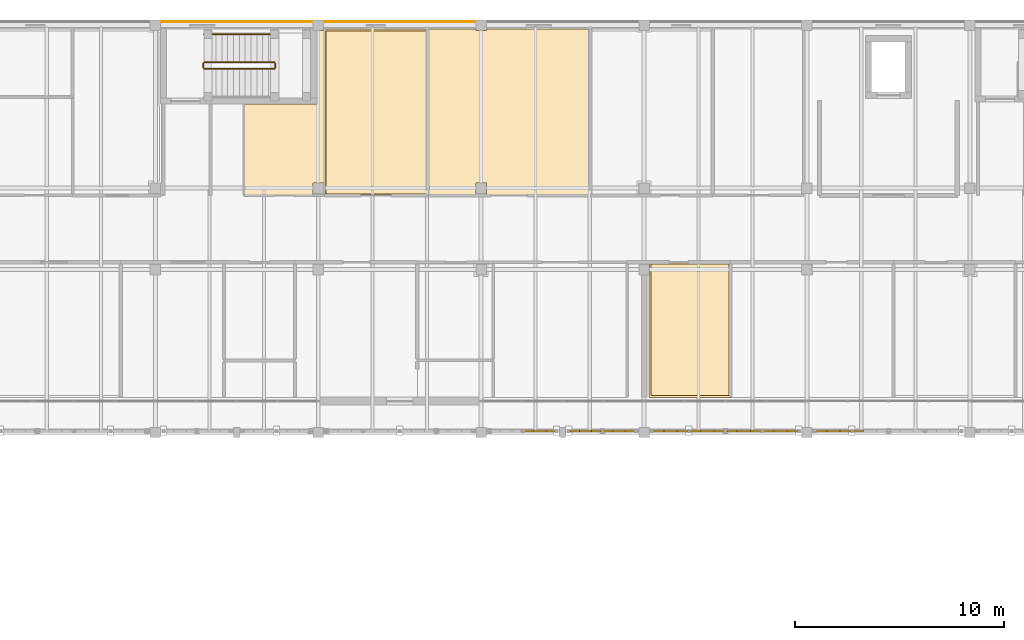
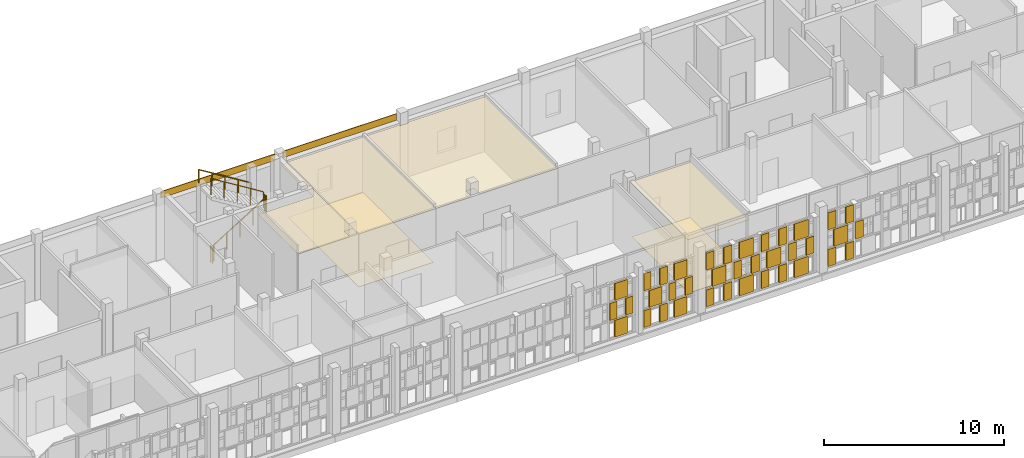
# One storey, part 87 of 89: 45 coverings, 5 railings.
"""IFC4 building model written with IfcOpenShell, lengths in metres."""

from ifc_helpers import new_model, si_unit, direction, frame, origin, origin_2d, place, context, subcontext, project, spatial, polyline, rectangle, circle, outline, extrude, material, layer, layer_set, type_object, element, save


model = new_model("IFC4")

# Units and contexts
model_context = context("Model", 3, precision=1e-05, world=origin(), true_north=direction((0.0, 1.0)))
body_context = subcontext(model_context, "Body", "Model", "MODEL_VIEW")
ifc_project = project(units=[si_unit("LENGTHUNIT", "METRE"), si_unit("AREAUNIT", "SQUARE_METRE"), si_unit("VOLUMEUNIT", "CUBIC_METRE"), si_unit("PLANEANGLEUNIT", "RADIAN"), si_unit("MASSUNIT", "GRAM", prefix="KILO")], contexts=[model_context])

# Site, building, storey
site_placement = place(None, origin())
site = spatial("IfcSite", under=ifc_project, at=site_placement, CompositionType="ELEMENT")
building_placement = place(site_placement, origin())
building = spatial("IfcBuilding", under=site, at=building_placement, Name="Celorna Specialist Clinic", CompositionType="ELEMENT")
storey_placement = place(building_placement, frame((0.0, 0.0, 14.10009765625)))
storey = spatial("IfcBuildingStorey", under=building, at=storey_placement, Name="L03", CompositionType="ELEMENT", Elevation=14.10009765625)

# Coverings
ifc_material_1 = material(Name="Hygienic acoustic mineral-fibre ceiling")
ifc_layer_1 = layer(ifc_material_1, 0.030029296875, Name="Hygienic acoustic mineral-fibre ceiling")
ifc_layer_set_1 = layer_set([ifc_layer_1], Name="Hygienic acoustic mineral-fibre ceiling")
covering_type_1 = type_object("IfcCoveringType", Name="CE-01", PredefinedType="CEILING", material=ifc_layer_set_1)
covering_1_placement = place(storey_placement, frame((0.0, 0.0, 3.68994140625)))
element("IfcCovering", 1, at=covering_1_placement, inside=storey, type_object=covering_type_1, Name="Acoustic ceiling L03-022", PredefinedType="CEILING", context=body_context, shape_type="SweptSolid", body=[
    extrude(outline(polyline([(101.64501953125, 104.6650390625), (105.554931640625, 104.6650390625), (105.554931640625, 98.175048828125), (101.635009765625, 98.175048828125), (101.635009765625, 104.044921875), (101.655029296875, 104.044921875), (101.655029296875, 104.554931640625), (101.64501953125, 104.554931640625), (101.64501953125, 104.6650390625)])), origin(), (0.0, 0.0, 1.0), 0.030029296875),
])
covering_2_placement = place(storey_placement, frame((0.0, 0.0, 3.669921875)))
element("IfcCovering", 2, at=covering_2_placement, inside=storey, type_object=covering_type_1, Name="Acoustic ceiling L03-031", PredefinedType="CEILING", context=body_context, shape_type="SweptSolid", body=[
    extrude(outline(polyline([(82.22509765625, 107.8349609375), (82.22509765625, 112.235107421875), (85.72509765625, 112.235107421875), (85.72509765625, 115.7451171875), (86.054931640625, 115.7451171875), (86.054931640625, 115.7548828125), (86.10498046875, 115.7548828125), (86.10498046875, 108.445068359375), (86.054931640625, 108.445068359375), (86.054931640625, 108.455078125), (85.544921875, 108.455078125), (85.544921875, 107.945068359375), (85.554931640625, 107.945068359375), (85.554931640625, 107.8349609375), (82.22509765625, 107.8349609375)])), origin(), (0.0, 0.0, 1.0), 0.030029296875),
])
covering_3_placement = place(storey_placement, frame((0.0, 0.0, 3.669921875)))
element("IfcCovering", 3, at=covering_3_placement, inside=storey, type_object=covering_type_1, Name="Acoustic ceiling L03-032", PredefinedType="CEILING", context=body_context, shape_type="SweptSolid", body=[
    extrude(outline(polyline([(91.054931640625, 115.824951171875), (91.054931640625, 107.8349609375), (86.074951171875, 107.8349609375), (86.074951171875, 115.824951171875), (91.054931640625, 115.824951171875)])), origin(), (0.0, 0.0, 1.0), 0.030029296875),
])
covering_4_placement = place(storey_placement, frame((0.0, 0.0, 3.669921875)))
element("IfcCovering", 4, at=covering_4_placement, inside=storey, type_object=covering_type_1, Name="Acoustic ceiling L03-033", PredefinedType="CEILING", context=body_context, shape_type="SweptSolid", body=[
    extrude(outline(polyline([(93.344970703125, 115.824951171875), (93.344970703125, 115.7451171875), (93.85498046875, 115.7451171875), (93.85498046875, 115.824951171875), (98.85498046875, 115.824951171875), (98.85498046875, 107.8349609375), (93.844970703125, 107.8349609375), (93.844970703125, 107.945068359375), (93.85498046875, 107.945068359375), (93.85498046875, 108.455078125), (93.344970703125, 108.455078125), (93.344970703125, 107.945068359375), (93.35498046875, 107.945068359375), (93.35498046875, 107.8349609375), (91.02490234375, 107.8349609375), (91.02490234375, 115.824951171875), (93.344970703125, 115.824951171875)])), origin(), (0.0, 0.0, 1.0), 0.030029296875),
])
ifc_material_2 = material(Name="Pero Pinheiro Lioz limestone rainscreen cladding", Category="masonry")
ifc_layer_2 = layer(ifc_material_2, 0.044921875, Name="Pero Pinheiro Lioz limestone rainscreen cladding")
ifc_layer_set_2 = layer_set([ifc_layer_2], Name="Pero Pinheiro Lioz limestone rainscreen cladding")
covering_type_2 = type_object("IfcCoveringType", Name="CL-01", PredefinedType="CLADDING", material=ifc_layer_set_2)
for number, where, z_axis, x_axis, name in (
    (5, (81.89990234375, 116.16748046875, 3.81982421875), (0.0, 0.0, 1.0), (1.0, 0.0, 0.0), "Lioz spandrel cladding #261"),
    (6, (89.699951171875, 116.16748046875, 3.81982421875), (0.0, 0.0, 1.0), (1.0, 0.0, 0.0), "Lioz spandrel cladding #262"),
):
    element("IfcCovering", number, at=place(storey_placement, frame(where, z_axis=z_axis, x_axis=x_axis)), inside=storey, type_object=covering_type_2, Name=name, PredefinedType="CLADDING", context=body_context, shape_type="SweptSolid", body=[
        extrude(rectangle(XDim=7.300048828125, YDim=0.044921875, at=origin_2d()), origin(), (0.0, 0.0, 1.0), 0.43994140625),
    ])
ifc_material_3 = material(Name="Perforated terracotta brick weave cladding", Category="masonry")
ifc_layer_3 = layer(ifc_material_3, 0.114990234375, Name="Perforated terracotta brick weave cladding")
ifc_layer_set_3 = layer_set([ifc_layer_3], Name="Perforated terracotta brick weave cladding")
covering_type_3 = type_object("IfcCoveringType", Name="CL-02", PredefinedType="CLADDING", material=ifc_layer_set_3)
covering_5_placement = place(storey_placement, frame((96.405029296875, 96.570068359375, 0.10009765625), z_axis=(0.0, 0.0, 1.0), x_axis=(1.0, 0.0, 0.0)))
element("IfcCovering", 7, at=covering_5_placement, inside=storey, type_object=covering_type_3, Name="Woven perforated terracotta brick course #1171", PredefinedType="CLADDING", context=body_context, shape_type="SweptSolid", body=[
    extrude(rectangle(XDim=0.8046875, YDim=0.114990234375, at=origin_2d()), origin(), (0.0, 0.0, 1.0), 1.146728515625),
])
for number, where, z_axis, x_axis, name in (
    (8, (95.88720703125, 96.570068359375, 1.3466796875), (0.0, 0.0, 1.0), (1.0, 0.0, 0.0), "Woven perforated terracotta brick course #1172"),
    (9, (96.9228515625, 96.570068359375, 1.3466796875), (0.0, 0.0, 1.0), (1.0, 0.0, 0.0), "Woven perforated terracotta brick course #1173"),
):
    element("IfcCovering", number, at=place(storey_placement, frame(where, z_axis=z_axis, x_axis=x_axis)), inside=storey, type_object=covering_type_3, Name=name, PredefinedType="CLADDING", context=body_context, shape_type="SweptSolid", body=[
        extrude(rectangle(XDim=0.454345703125, YDim=0.114990234375, at=origin_2d()), origin(), (0.0, 0.0, 1.0), 1.146484375),
    ])
covering_6_placement = place(storey_placement, frame((96.405029296875, 96.570068359375, 2.59326171875), z_axis=(0.0, 0.0, 1.0), x_axis=(1.0, 0.0, 0.0)))
element("IfcCovering", 10, at=covering_6_placement, inside=storey, type_object=covering_type_3, Name="Woven perforated terracotta brick course #1174", PredefinedType="CLADDING", context=body_context, shape_type="SweptSolid", body=[
    extrude(rectangle(XDim=0.8046875, YDim=0.114990234375, at=origin_2d()), origin(), (0.0, 0.0, 1.0), 1.146728515625),
])
for number, where, z_axis, x_axis, name in (
    (11, (98.0771484375, 96.570068359375, 0.10009765625), (0.0, 0.0, 1.0), (1.0, 0.0, 0.0), "Woven perforated terracotta brick course #1175"),
    (12, (99.11279296875, 96.570068359375, 0.10009765625), (0.0, 0.0, 1.0), (1.0, 0.0, 0.0), "Woven perforated terracotta brick course #1176"),
):
    element("IfcCovering", number, at=place(storey_placement, frame(where, z_axis=z_axis, x_axis=x_axis)), inside=storey, type_object=covering_type_3, Name=name, PredefinedType="CLADDING", context=body_context, shape_type="SweptSolid", body=[
        extrude(rectangle(XDim=0.454345703125, YDim=0.114990234375, at=origin_2d()), origin(), (0.0, 0.0, 1.0), 1.146728515625),
    ])
covering_7_placement = place(storey_placement, frame((98.594970703125, 96.570068359375, 1.3466796875), z_axis=(0.0, 0.0, 1.0), x_axis=(1.0, 0.0, 0.0)))
element("IfcCovering", 13, at=covering_7_placement, inside=storey, type_object=covering_type_3, Name="Woven perforated terracotta brick course #1177", PredefinedType="CLADDING", context=body_context, shape_type="SweptSolid", body=[
    extrude(rectangle(XDim=0.8046875, YDim=0.114990234375, at=origin_2d()), origin(), (0.0, 0.0, 1.0), 1.146484375),
])
for number, where, z_axis, x_axis, name in (
    (14, (98.0771484375, 96.570068359375, 2.59326171875), (0.0, 0.0, 1.0), (1.0, 0.0, 0.0), "Woven perforated terracotta brick course #1178"),
    (15, (99.11279296875, 96.570068359375, 2.59326171875), (0.0, 0.0, 1.0), (1.0, 0.0, 0.0), "Woven perforated terracotta brick course #1179"),
):
    element("IfcCovering", number, at=place(storey_placement, frame(where, z_axis=z_axis, x_axis=x_axis)), inside=storey, type_object=covering_type_3, Name=name, PredefinedType="CLADDING", context=body_context, shape_type="SweptSolid", body=[
        extrude(rectangle(XDim=0.454345703125, YDim=0.114990234375, at=origin_2d()), origin(), (0.0, 0.0, 1.0), 1.146728515625),
    ])
covering_8_placement = place(storey_placement, frame((100.205078125, 96.570068359375, 0.10009765625), z_axis=(0.0, 0.0, 1.0), x_axis=(1.0, 0.0, 0.0)))
element("IfcCovering", 16, at=covering_8_placement, inside=storey, type_object=covering_type_3, Name="Woven perforated terracotta brick course #1180", PredefinedType="CLADDING", context=body_context, shape_type="SweptSolid", body=[
    extrude(rectangle(XDim=0.8046875, YDim=0.114990234375, at=origin_2d()), origin(), (0.0, 0.0, 1.0), 1.146728515625),
])
for number, where, z_axis, x_axis, name in (
    (17, (99.687255859375, 96.570068359375, 1.3466796875), (0.0, 0.0, 1.0), (1.0, 0.0, 0.0), "Woven perforated terracotta brick course #1181"),
    (18, (100.722900390625, 96.570068359375, 1.3466796875), (0.0, 0.0, 1.0), (1.0, 0.0, 0.0), "Woven perforated terracotta brick course #1182"),
):
    element("IfcCovering", number, at=place(storey_placement, frame(where, z_axis=z_axis, x_axis=x_axis)), inside=storey, type_object=covering_type_3, Name=name, PredefinedType="CLADDING", context=body_context, shape_type="SweptSolid", body=[
        extrude(rectangle(XDim=0.454345703125, YDim=0.114990234375, at=origin_2d()), origin(), (0.0, 0.0, 1.0), 1.146484375),
    ])
covering_9_placement = place(storey_placement, frame((100.205078125, 96.570068359375, 2.59326171875), z_axis=(0.0, 0.0, 1.0), x_axis=(1.0, 0.0, 0.0)))
element("IfcCovering", 19, at=covering_9_placement, inside=storey, type_object=covering_type_3, Name="Woven perforated terracotta brick course #1183", PredefinedType="CLADDING", context=body_context, shape_type="SweptSolid", body=[
    extrude(rectangle(XDim=0.8046875, YDim=0.114990234375, at=origin_2d()), origin(), (0.0, 0.0, 1.0), 1.146728515625),
])
for number, where, z_axis, x_axis, name in (
    (20, (102.099365234375, 96.570068359375, 0.10009765625), (0.0, 0.0, 1.0), (1.0, 0.0, 0.0), "Woven perforated terracotta brick course #1184"),
    (21, (103.235595703125, 96.570068359375, 0.10009765625), (0.0, 0.0, 1.0), (1.0, 0.0, 0.0), "Woven perforated terracotta brick course #1185"),
):
    element("IfcCovering", number, at=place(storey_placement, frame(where, z_axis=z_axis, x_axis=x_axis)), inside=storey, type_object=covering_type_3, Name=name, PredefinedType="CLADDING", context=body_context, shape_type="SweptSolid", body=[
        extrude(rectangle(XDim=0.498779296875, YDim=0.114990234375, at=origin_2d()), origin(), (0.0, 0.0, 1.0), 1.146728515625),
    ])
covering_10_placement = place(storey_placement, frame((102.66748046875, 96.570068359375, 1.3466796875), z_axis=(0.0, 0.0, 1.0), x_axis=(1.0, 0.0, 0.0)))
element("IfcCovering", 22, at=covering_10_placement, inside=storey, type_object=covering_type_3, Name="Woven perforated terracotta brick course #1186", PredefinedType="CLADDING", context=body_context, shape_type="SweptSolid", body=[
    extrude(rectangle(XDim=0.8828125, YDim=0.114990234375, at=origin_2d()), origin(), (0.0, 0.0, 1.0), 1.146484375),
])
for number, where, z_axis, x_axis, name in (
    (23, (102.099365234375, 96.570068359375, 2.59326171875), (0.0, 0.0, 1.0), (1.0, 0.0, 0.0), "Woven perforated terracotta brick course #1187"),
    (24, (103.235595703125, 96.570068359375, 2.59326171875), (0.0, 0.0, 1.0), (1.0, 0.0, 0.0), "Woven perforated terracotta brick course #1188"),
):
    element("IfcCovering", number, at=place(storey_placement, frame(where, z_axis=z_axis, x_axis=x_axis)), inside=storey, type_object=covering_type_3, Name=name, PredefinedType="CLADDING", context=body_context, shape_type="SweptSolid", body=[
        extrude(rectangle(XDim=0.498779296875, YDim=0.114990234375, at=origin_2d()), origin(), (0.0, 0.0, 1.0), 1.146728515625),
    ])
covering_11_placement = place(storey_placement, frame((104.422607421875, 96.570068359375, 0.10009765625), z_axis=(0.0, 0.0, 1.0), x_axis=(1.0, 0.0, 0.0)))
element("IfcCovering", 25, at=covering_11_placement, inside=storey, type_object=covering_type_3, Name="Woven perforated terracotta brick course #1189", PredefinedType="CLADDING", context=body_context, shape_type="SweptSolid", body=[
    extrude(rectangle(XDim=0.8828125, YDim=0.114990234375, at=origin_2d()), origin(), (0.0, 0.0, 1.0), 1.146728515625),
])
for number, where, z_axis, x_axis, name in (
    (26, (103.8544921875, 96.570068359375, 1.3466796875), (0.0, 0.0, 1.0), (1.0, 0.0, 0.0), "Woven perforated terracotta brick course #1190"),
    (27, (104.99072265625, 96.570068359375, 1.3466796875), (0.0, 0.0, 1.0), (1.0, 0.0, 0.0), "Woven perforated terracotta brick course #1191"),
):
    element("IfcCovering", number, at=place(storey_placement, frame(where, z_axis=z_axis, x_axis=x_axis)), inside=storey, type_object=covering_type_3, Name=name, PredefinedType="CLADDING", context=body_context, shape_type="SweptSolid", body=[
        extrude(rectangle(XDim=0.498779296875, YDim=0.114990234375, at=origin_2d()), origin(), (0.0, 0.0, 1.0), 1.146484375),
    ])
covering_12_placement = place(storey_placement, frame((104.422607421875, 96.570068359375, 2.59326171875), z_axis=(0.0, 0.0, 1.0), x_axis=(1.0, 0.0, 0.0)))
element("IfcCovering", 28, at=covering_12_placement, inside=storey, type_object=covering_type_3, Name="Woven perforated terracotta brick course #1192", PredefinedType="CLADDING", context=body_context, shape_type="SweptSolid", body=[
    extrude(rectangle(XDim=0.8828125, YDim=0.114990234375, at=origin_2d()), origin(), (0.0, 0.0, 1.0), 1.146728515625),
])
for number, where, z_axis, x_axis, name in (
    (29, (105.609375, 96.570068359375, 0.10009765625), (0.0, 0.0, 1.0), (1.0, 0.0, 0.0), "Woven perforated terracotta brick course #1193"),
    (30, (106.74560546875, 96.570068359375, 0.10009765625), (0.0, 0.0, 1.0), (1.0, 0.0, 0.0), "Woven perforated terracotta brick course #1194"),
):
    element("IfcCovering", number, at=place(storey_placement, frame(where, z_axis=z_axis, x_axis=x_axis)), inside=storey, type_object=covering_type_3, Name=name, PredefinedType="CLADDING", context=body_context, shape_type="SweptSolid", body=[
        extrude(rectangle(XDim=0.498779296875, YDim=0.114990234375, at=origin_2d()), origin(), (0.0, 0.0, 1.0), 1.146728515625),
    ])
covering_13_placement = place(storey_placement, frame((106.177490234375, 96.570068359375, 1.3466796875), z_axis=(0.0, 0.0, 1.0), x_axis=(1.0, 0.0, 0.0)))
element("IfcCovering", 31, at=covering_13_placement, inside=storey, type_object=covering_type_3, Name="Woven perforated terracotta brick course #1195", PredefinedType="CLADDING", context=body_context, shape_type="SweptSolid", body=[
    extrude(rectangle(XDim=0.8828125, YDim=0.114990234375, at=origin_2d()), origin(), (0.0, 0.0, 1.0), 1.146484375),
])
for number, where, z_axis, x_axis, name in (
    (32, (105.609375, 96.570068359375, 2.59326171875), (0.0, 0.0, 1.0), (1.0, 0.0, 0.0), "Woven perforated terracotta brick course #1196"),
    (33, (106.74560546875, 96.570068359375, 2.59326171875), (0.0, 0.0, 1.0), (1.0, 0.0, 0.0), "Woven perforated terracotta brick course #1197"),
):
    element("IfcCovering", number, at=place(storey_placement, frame(where, z_axis=z_axis, x_axis=x_axis)), inside=storey, type_object=covering_type_3, Name=name, PredefinedType="CLADDING", context=body_context, shape_type="SweptSolid", body=[
        extrude(rectangle(XDim=0.498779296875, YDim=0.114990234375, at=origin_2d()), origin(), (0.0, 0.0, 1.0), 1.146728515625),
    ])
covering_14_placement = place(storey_placement, frame((107.9326171875, 96.570068359375, 0.10009765625), z_axis=(0.0, 0.0, 1.0), x_axis=(1.0, 0.0, 0.0)))
element("IfcCovering", 34, at=covering_14_placement, inside=storey, type_object=covering_type_3, Name="Woven perforated terracotta brick course #1198", PredefinedType="CLADDING", context=body_context, shape_type="SweptSolid", body=[
    extrude(rectangle(XDim=0.8828125, YDim=0.114990234375, at=origin_2d()), origin(), (0.0, 0.0, 1.0), 1.146728515625),
])
for number, where, z_axis, x_axis, name in (
    (35, (107.364501953125, 96.570068359375, 1.3466796875), (0.0, 0.0, 1.0), (1.0, 0.0, 0.0), "Woven perforated terracotta brick course #1199"),
    (36, (108.500732421875, 96.570068359375, 1.3466796875), (0.0, 0.0, 1.0), (1.0, 0.0, 0.0), "Woven perforated terracotta brick course #1200"),
):
    element("IfcCovering", number, at=place(storey_placement, frame(where, z_axis=z_axis, x_axis=x_axis)), inside=storey, type_object=covering_type_3, Name=name, PredefinedType="CLADDING", context=body_context, shape_type="SweptSolid", body=[
        extrude(rectangle(XDim=0.498779296875, YDim=0.114990234375, at=origin_2d()), origin(), (0.0, 0.0, 1.0), 1.146484375),
    ])
covering_15_placement = place(storey_placement, frame((107.9326171875, 96.570068359375, 2.59326171875), z_axis=(0.0, 0.0, 1.0), x_axis=(1.0, 0.0, 0.0)))
element("IfcCovering", 37, at=covering_15_placement, inside=storey, type_object=covering_type_3, Name="Woven perforated terracotta brick course #1201", PredefinedType="CLADDING", context=body_context, shape_type="SweptSolid", body=[
    extrude(rectangle(XDim=0.8828125, YDim=0.114990234375, at=origin_2d()), origin(), (0.0, 0.0, 1.0), 1.146728515625),
])
for number, where, z_axis, x_axis, name in (
    (38, (109.8994140625, 96.570068359375, 0.10009765625), (0.0, 0.0, 1.0), (1.0, 0.0, 0.0), "Woven perforated terracotta brick course #1202"),
    (39, (111.03564453125, 96.570068359375, 0.10009765625), (0.0, 0.0, 1.0), (1.0, 0.0, 0.0), "Woven perforated terracotta brick course #1203"),
):
    element("IfcCovering", number, at=place(storey_placement, frame(where, z_axis=z_axis, x_axis=x_axis)), inside=storey, type_object=covering_type_3, Name=name, PredefinedType="CLADDING", context=body_context, shape_type="SweptSolid", body=[
        extrude(rectangle(XDim=0.498779296875, YDim=0.114990234375, at=origin_2d()), origin(), (0.0, 0.0, 1.0), 1.146728515625),
    ])
covering_16_placement = place(storey_placement, frame((110.467529296875, 96.570068359375, 1.3466796875), z_axis=(0.0, 0.0, 1.0), x_axis=(1.0, 0.0, 0.0)))
element("IfcCovering", 40, at=covering_16_placement, inside=storey, type_object=covering_type_3, Name="Woven perforated terracotta brick course #1204", PredefinedType="CLADDING", context=body_context, shape_type="SweptSolid", body=[
    extrude(rectangle(XDim=0.8828125, YDim=0.114990234375, at=origin_2d()), origin(), (0.0, 0.0, 1.0), 1.146484375),
])
for number, where, z_axis, x_axis, name in (
    (41, (109.8994140625, 96.570068359375, 2.59326171875), (0.0, 0.0, 1.0), (1.0, 0.0, 0.0), "Woven perforated terracotta brick course #1205"),
    (42, (111.03564453125, 96.570068359375, 2.59326171875), (0.0, 0.0, 1.0), (1.0, 0.0, 0.0), "Woven perforated terracotta brick course #1206"),
):
    element("IfcCovering", number, at=place(storey_placement, frame(where, z_axis=z_axis, x_axis=x_axis)), inside=storey, type_object=covering_type_3, Name=name, PredefinedType="CLADDING", context=body_context, shape_type="SweptSolid", body=[
        extrude(rectangle(XDim=0.498779296875, YDim=0.114990234375, at=origin_2d()), origin(), (0.0, 0.0, 1.0), 1.146728515625),
    ])
covering_17_placement = place(storey_placement, frame((111.654296875, 96.570068359375, 1.3466796875), z_axis=(0.0, 0.0, 1.0), x_axis=(1.0, 0.0, 0.0)))
element("IfcCovering", 43, at=covering_17_placement, inside=storey, type_object=covering_type_3, Name="Woven perforated terracotta brick course #1208", PredefinedType="CLADDING", context=body_context, shape_type="SweptSolid", body=[
    extrude(rectangle(XDim=0.498779296875, YDim=0.114990234375, at=origin_2d()), origin(), (0.0, 0.0, 1.0), 1.146484375),
])
ifc_material_4 = material(Name="Seamless antimicrobial clinical vinyl and Lioz terrazzo flooring")
ifc_layer_4 = layer(ifc_material_4, 0.02001953125, Name="Seamless antimicrobial clinical vinyl and Lioz terrazzo flooring")
ifc_layer_set_4 = layer_set([ifc_layer_4], Name="Seamless antimicrobial clinical vinyl and Lioz terrazzo flooring")
covering_type_4 = type_object("IfcCoveringType", Name="FL-01", PredefinedType="FLOORING", material=ifc_layer_set_4)
covering_18_placement = place(storey_placement, origin())
element("IfcCovering", 44, at=covering_18_placement, inside=storey, type_object=covering_type_4, Name="Antimicrobial clinical flooring L03-022", PredefinedType="FLOORING", context=body_context, shape_type="SweptSolid", body=[
    extrude(outline(polyline([(101.735107421875, 104.574951171875), (105.465087890625, 104.574951171875), (105.465087890625, 98.264892578125), (101.72509765625, 98.264892578125), (101.72509765625, 103.965087890625), (101.735107421875, 103.965087890625), (101.735107421875, 104.574951171875)])), origin(), (0.0, 0.0, 1.0), 0.02001953125),
])
covering_19_placement = place(storey_placement, origin())
element("IfcCovering", 45, at=covering_19_placement, inside=storey, type_object=covering_type_4, Name="Antimicrobial clinical flooring L03-032", PredefinedType="FLOORING", context=body_context, shape_type="SweptSolid", body=[
    extrude(outline(polyline([(86.1650390625, 115.735107421875), (90.965087890625, 115.735107421875), (90.965087890625, 107.925048828125), (86.1650390625, 107.925048828125), (86.1650390625, 115.735107421875)])), origin(), (0.0, 0.0, 1.0), 0.02001953125),
])

# Railings
ifc_material_5 = material(Name="Powder-coated steel S355", Category="steel")
railing_type_1 = type_object("IfcRailingType", Name="GR-01", PredefinedType="GUARDRAIL", material=ifc_material_5)
railing_1_placement = place(storey_placement, frame((80.340087890625, 113.919921875, 0.173095703125)))
element("IfcRailing", 46, at=railing_1_placement, inside=storey, type_object=railing_type_1, Name="L03 ST-02 stair guard 1", PredefinedType="GUARDRAIL", context=body_context, shape_type="SweptSolid", body=[
    extrude(circle(Radius=0.02392578125, at=origin_2d()), frame((0.0, 0.0, 1.09619140625), z_axis=(0.850606129759, 0.0, 0.525803396734), x_axis=(0.0, 1.0, 0.0)), (0.0, 0.0, 1.0), 3.949951171875),
    extrude(circle(Radius=0.02099609375, at=origin_2d()), origin(), (0.0, 0.0, 1.0), 1.072021484375),
    extrude(circle(Radius=0.02099609375, at=origin_2d()), frame((0.83984375, 0.0, 0.519287109375)), (0.0, 0.0, 1.0), 1.072021484375),
    extrude(circle(Radius=0.02099609375, at=origin_2d()), frame((1.679931640625, 0.0, 1.03857421875)), (0.0, 0.0, 1.0), 1.072021484375),
    extrude(circle(Radius=0.02099609375, at=origin_2d()), frame((2.52001953125, 0.0, 1.5576171875)), (0.0, 0.0, 1.0), 1.072021484375),
    extrude(circle(Radius=0.02099609375, at=origin_2d()), frame((3.35986328125, 0.0, 2.076904296875)), (0.0, 0.0, 1.0), 1.072021484375),
])
railing_2_placement = place(storey_placement, frame((83.75, 113.969970703125, 2.25)))
element("IfcRailing", 47, at=railing_2_placement, inside=storey, type_object=railing_type_1, Name="L03 ST-02 stair guard 2", PredefinedType="GUARDRAIL", context=body_context, shape_type="SweptSolid", body=[
    extrude(circle(Radius=0.02392578125, at=origin_2d()), frame((0.0, 0.0, 1.09619140625), z_axis=(0.0, 1.0, 0.0), x_axis=(-1.0, 0.0, 0.0)), (0.0, 0.0, 1.0), 0.199951171875),
    extrude(circle(Radius=0.02099609375, at=origin_2d()), origin(), (0.0, 0.0, 1.0), 1.072021484375),
    extrude(circle(Radius=0.02099609375, at=origin_2d()), frame((0.0, 0.199951171875, 0.0)), (0.0, 0.0, 1.0), 1.072021484375),
])
railing_3_placement = place(storey_placement, frame((83.699951171875, 114.219970703125, 2.423095703125)))
element("IfcRailing", 48, at=railing_3_placement, inside=storey, type_object=railing_type_1, Name="L03 ST-02 stair guard 3", PredefinedType="GUARDRAIL", context=body_context, shape_type="SweptSolid", body=[
    extrude(circle(Radius=0.02392578125, at=origin_2d()), frame((0.0, 0.0, 1.09619140625), z_axis=(-0.850606129759, 0.0, 0.525803396734), x_axis=(0.0, -1.0, 0.0)), (0.0, 0.0, 1.0), 3.949951171875),
    extrude(circle(Radius=0.02099609375, at=origin_2d()), origin(), (0.0, 0.0, 1.0), 1.072021484375),
    extrude(circle(Radius=0.02099609375, at=origin_2d()), frame((-0.83984375, 0.0, 0.519287109375)), (0.0, 0.0, 1.0), 1.072021484375),
    extrude(circle(Radius=0.02099609375, at=origin_2d()), frame((-1.679931640625, 0.0, 1.03857421875)), (0.0, 0.0, 1.0), 1.072021484375),
    extrude(circle(Radius=0.02099609375, at=origin_2d()), frame((-2.52001953125, 0.0, 1.5576171875)), (0.0, 0.0, 1.0), 1.072021484375),
    extrude(circle(Radius=0.02099609375, at=origin_2d()), frame((-3.35986328125, 0.0, 2.076904296875)), (0.0, 0.0, 1.0), 1.072021484375),
])
railing_4_placement = place(storey_placement, frame((80.2900390625, 113.969970703125, 0.0)))
element("IfcRailing", 49, at=railing_4_placement, inside=storey, type_object=railing_type_1, Name="L03 ST-02 stair guard 4", PredefinedType="GUARDRAIL", context=body_context, shape_type="SweptSolid", body=[
    extrude(circle(Radius=0.02392578125, at=origin_2d()), frame((0.0, 0.0, 1.09619140625), z_axis=(0.0, 1.0, 0.0), x_axis=(-1.0, 0.0, 0.0)), (0.0, 0.0, 1.0), 0.199951171875),
    extrude(circle(Radius=0.02099609375, at=origin_2d()), origin(), (0.0, 0.0, 1.0), 1.072021484375),
    extrude(circle(Radius=0.02099609375, at=origin_2d()), frame((0.0, 0.199951171875, 0.0)), (0.0, 0.0, 1.0), 1.072021484375),
])
ifc_material_6 = material(Name="Brushed stainless steel handrail", Category="steel")
railing_type_2 = type_object("IfcRailingType", Name="HR-01", PredefinedType="HANDRAIL", material=ifc_material_6)
railing_5_placement = place(storey_placement, frame((83.699951171875, 115.570068359375, 2.423095703125)))
element("IfcRailing", 50, at=railing_5_placement, inside=storey, type_object=railing_type_2, Name="L03 ST-02 stair handrail 2", PredefinedType="HANDRAIL", context=body_context, shape_type="SweptSolid", body=[
    extrude(circle(Radius=0.02392578125, at=origin_2d()), frame((0.0, 0.0, 0.8759765625), z_axis=(-0.850606129759, 0.0, 0.525803396734), x_axis=(0.0, -1.0, 0.0)), (0.0, 0.0, 1.0), 3.949951171875),
    extrude(circle(Radius=0.02099609375, at=origin_2d()), origin(), (0.0, 0.0, 1.0), 0.851806640625),
    extrude(circle(Radius=0.02099609375, at=origin_2d()), frame((-0.83984375, 0.0, 0.519287109375)), (0.0, 0.0, 1.0), 0.851806640625),
    extrude(circle(Radius=0.02099609375, at=origin_2d()), frame((-1.679931640625, 0.0, 1.03857421875)), (0.0, 0.0, 1.0), 0.851806640625),
    extrude(circle(Radius=0.02099609375, at=origin_2d()), frame((-2.52001953125, 0.0, 1.5576171875)), (0.0, 0.0, 1.0), 0.851806640625),
    extrude(circle(Radius=0.02099609375, at=origin_2d()), frame((-3.35986328125, 0.0, 2.076904296875)), (0.0, 0.0, 1.0), 0.851806640625),
])

save(model, "model.ifc")
